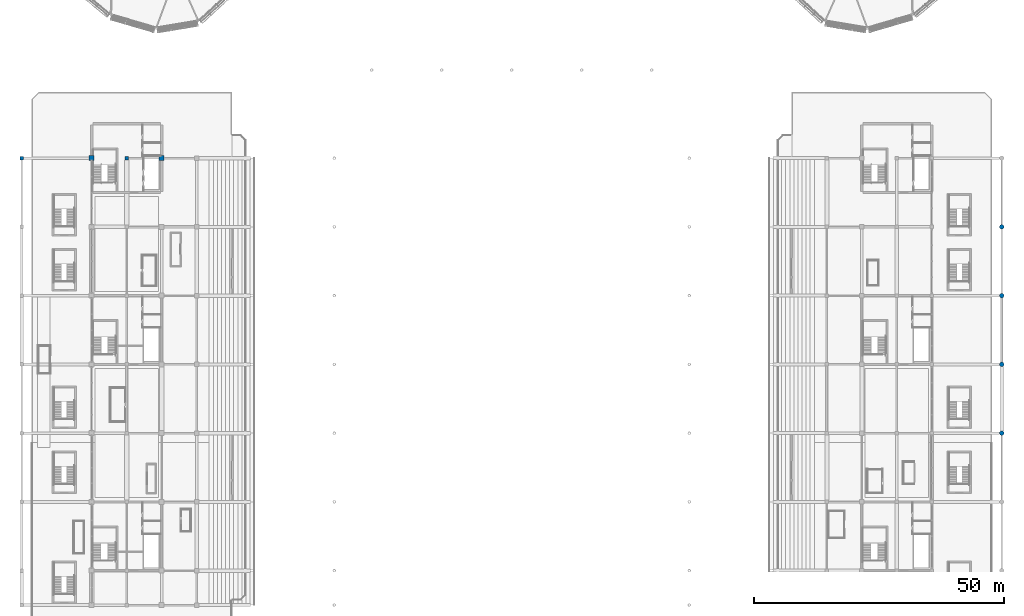
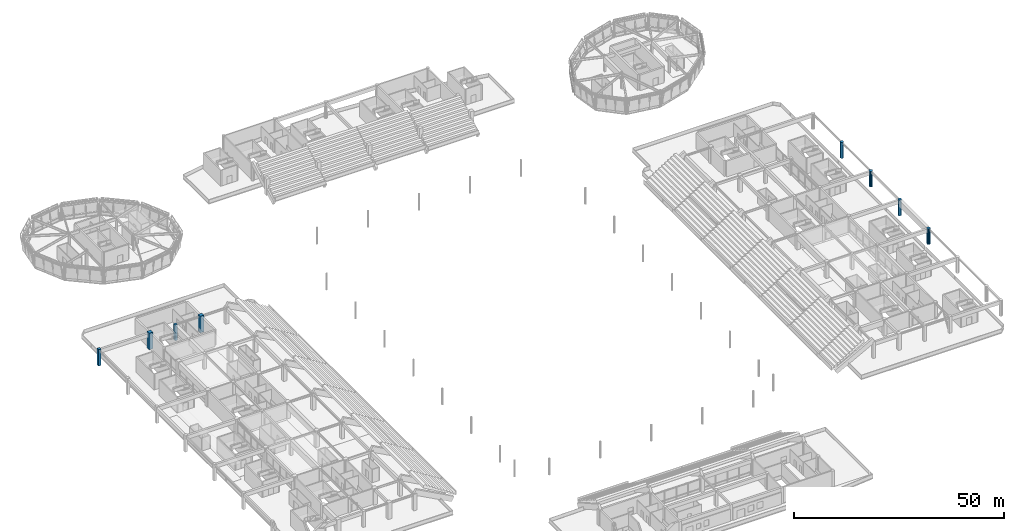
# One storey, part 8 of 94: 8 columns.
"""IFC4 building model written with IfcOpenShell, lengths in metres."""

from ifc_helpers import new_model, si_unit, direction, frame, origin, origin_2d, place, context, subcontext, project, spatial, rectangle, circle, extrude, material, material_profile, profile_set, type_object, element, save


model = new_model("IFC4")

# Units and contexts
model_context = context("Model", 3, precision=1e-05, world=origin(), true_north=direction((0.0, 1.0)))
body_context = subcontext(model_context, "Body", "Model", "MODEL_VIEW")
ifc_project = project(units=[si_unit("LENGTHUNIT", "METRE"), si_unit("AREAUNIT", "SQUARE_METRE"), si_unit("VOLUMEUNIT", "CUBIC_METRE"), si_unit("PLANEANGLEUNIT", "RADIAN"), si_unit("MASSUNIT", "GRAM", prefix="KILO")], contexts=[model_context])

# Site, building, storey
site_placement = place(None, origin())
site = spatial("IfcSite", under=ifc_project, at=site_placement, CompositionType="ELEMENT")
building_placement = place(site_placement, origin())
building = spatial("IfcBuilding", under=site, at=building_placement, Name="Linyun Crest Stadium", CompositionType="ELEMENT")
storey_placement = place(building_placement, frame((0.0, 0.0, 16.199951171875)))
storey = spatial("IfcBuildingStorey", under=building, at=storey_placement, Name="L04", CompositionType="ELEMENT", Elevation=16.199951171875)

# Columns
ifc_material_1 = material(Name="Concrete C50", Category="concrete")
ifc_material_profile_1 = material_profile(ifc_material_1, rectangle(XDim=0.699951171875, YDim=0.699951171875, at=origin_2d()), Name="RC 700x700")
ifc_profile_set_1 = profile_set([ifc_material_profile_1], Name="Concrete C50")
column_type_1 = type_object("IfcColumnType", Name="C02", PredefinedType="COLUMN", material=ifc_profile_set_1)
column_1_placement = place(storey_placement, frame((-98.0, 43.375, 0.0), z_axis=(0.0, 0.0, 1.0), x_axis=(1.0, 0.0, 0.0)))
element("IfcColumn", 1, at=column_1_placement, inside=storey, type_object=column_type_1, Name="Column C02 L04 47", PredefinedType="COLUMN", context=body_context, shape_type="SweptSolid", body=[
    extrude(rectangle(XDim=0.699951171875, YDim=0.699951171875, at=origin_2d()), origin(), (0.0, 0.0, 1.0), 4.798095703125),
])
column_2_placement = place(storey_placement, frame((-77.0, 43.375, 0.0), z_axis=(0.0, 0.0, 1.0), x_axis=(1.0, 0.0, 0.0)))
element("IfcColumn", 2, at=column_2_placement, inside=storey, type_object=column_type_1, Name="Column C02 L04 144", PredefinedType="COLUMN", context=body_context, shape_type="SweptSolid", body=[
    extrude(rectangle(XDim=0.699951171875, YDim=0.699951171875, at=origin_2d()), origin(), (0.0, 0.0, 1.0), 4.60009765625),
])
ifc_material_2 = material(Name="Concrete C50", Category="concrete")
ifc_material_profile_2 = material_profile(ifc_material_2, rectangle(XDim=1.0, YDim=1.0, at=origin_2d()), Name="RC 1000x1000")
ifc_profile_set_2 = profile_set([ifc_material_profile_2], Name="Concrete C50")
column_type_2 = type_object("IfcColumnType", Name="C05", PredefinedType="COLUMN", material=ifc_profile_set_2)
for number, where, z_axis, x_axis, name in (
    (3, (-84.0, 43.375, 0.0), (0.0, 0.0, 1.0), (1.0, 0.0, 0.0), "Column C05 L04 102"),
    (4, (-70.0, 43.375, 0.0), (0.0, 0.0, 1.0), (1.0, 0.0, 0.0), "Column C05 L04 198"),
):
    element("IfcColumn", number, at=place(storey_placement, frame(where, z_axis=z_axis, x_axis=x_axis)), inside=storey, type_object=column_type_2, Name=name, PredefinedType="COLUMN", context=body_context, shape_type="SweptSolid", body=[
        extrude(rectangle(XDim=1.0, YDim=1.0, at=origin_2d()), origin(), (0.0, 0.0, 1.0), 4.798095703125),
    ])
ifc_material_3 = material(Name="Concrete C50", Category="concrete")
ifc_material_profile_3 = material_profile(ifc_material_3, circle(Radius=0.449951171875, at=origin_2d()), Name="RC D900")
ifc_profile_set_3 = profile_set([ifc_material_profile_3], Name="Concrete C50")
column_type_3 = type_object("IfcColumnType", Name="C08", PredefinedType="COLUMN", material=ifc_profile_set_3)
for number, where, z_axis, x_axis, name in (
    (5, (98.0, -11.625, 0.0), (0.0, 0.0, 1.0), (1.0, 0.0, 0.0), "Column C08 L04 548"),
    (6, (98.0, 2.125, 0.0), (0.0, 0.0, 1.0), (1.0, 0.0, 0.0), "Column C08 L04 553"),
    (7, (98.0, 15.875, 0.0), (0.0, 0.0, 1.0), (1.0, 0.0, 0.0), "Column C08 L04 558"),
    (8, (98.0, 29.625, 0.0), (0.0, 0.0, 1.0), (1.0, 0.0, 0.0), "Column C08 L04 563"),
):
    element("IfcColumn", number, at=place(storey_placement, frame(where, z_axis=z_axis, x_axis=x_axis)), inside=storey, type_object=column_type_3, Name=name, PredefinedType="COLUMN", context=body_context, shape_type="SweptSolid", body=[
        extrude(circle(Radius=0.449951171875, at=origin_2d()), origin(), (0.0, 0.0, 1.0), 4.56005859375),
    ])

save(model, "model.ifc")
